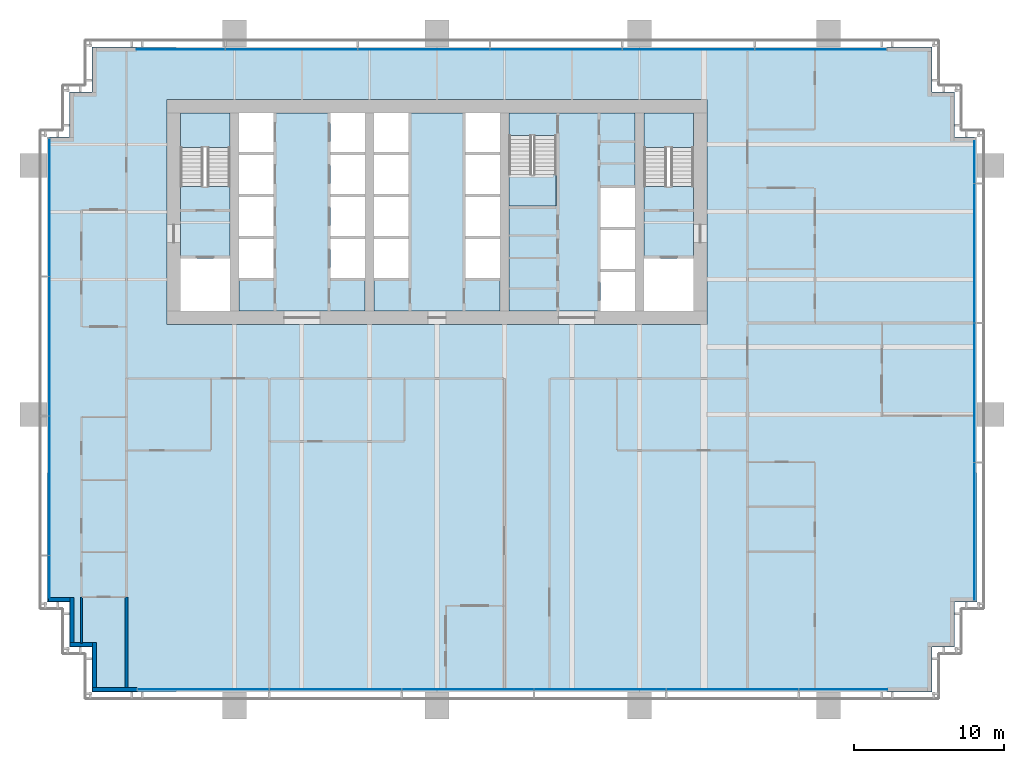
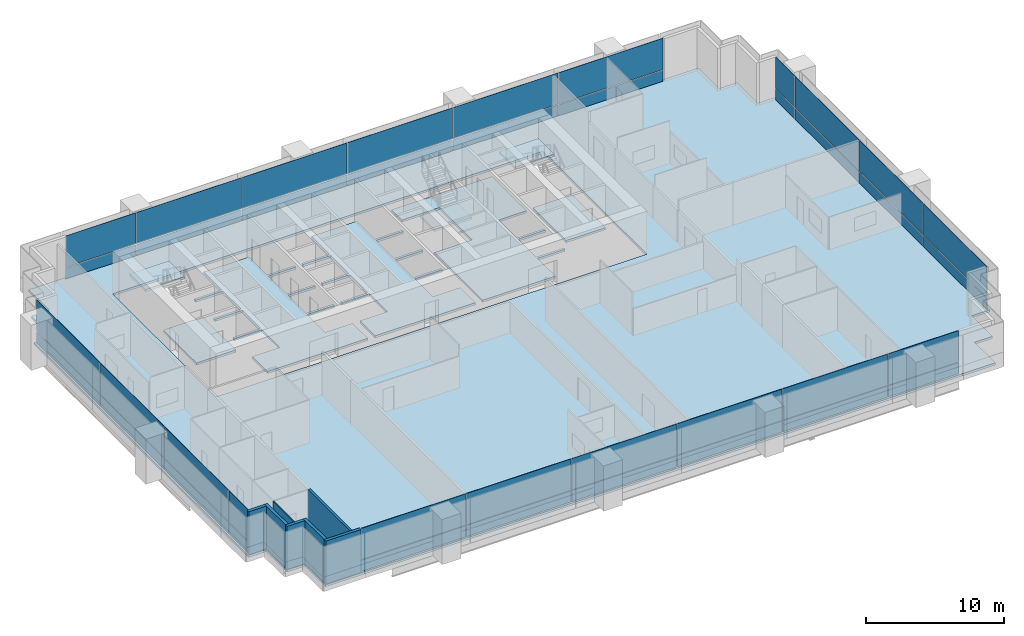
# One storey, part 11 of 19: 40 plates, 9 slabs, 7 walls, 7 elements without a shape of their own.
"""IFC4 building model written with IfcOpenShell, lengths in metres."""

from ifc_helpers import new_model, si_unit, direction, frame, frame_2d, origin, origin_2d, place, context, subcontext, project, spatial, polyline, rectangle, outline, extrude, material, layer, layer_set, type_object, element, aggregate, save


model = new_model("IFC4")

# Units and contexts
model_context = context("Model", 3, precision=1e-05, world=origin(), true_north=direction((0.0, 1.0)))
body_context = subcontext(model_context, "Body", "Model", "MODEL_VIEW")
ifc_project = project(units=[si_unit("LENGTHUNIT", "METRE"), si_unit("AREAUNIT", "SQUARE_METRE"), si_unit("VOLUMEUNIT", "CUBIC_METRE"), si_unit("PLANEANGLEUNIT", "RADIAN"), si_unit("MASSUNIT", "GRAM", prefix="KILO")], contexts=[model_context])

# Site, building, storey
site_placement = place(None, origin())
site = spatial("IfcSite", under=ifc_project, at=site_placement, CompositionType="ELEMENT")
building_placement = place(site_placement, origin())
building = spatial("IfcBuilding", under=site, at=building_placement, Name="Rattan Terrace Tower", CompositionType="ELEMENT")
storey_placement = place(building_placement, frame((0.0, 0.0, 99.699951171875)))
storey = spatial("IfcBuildingStorey", under=building, at=storey_placement, Name="L22", CompositionType="ELEMENT", Elevation=99.699951171875)

# Stair, slab
ifc_material_1 = material(Name="Concrete C40/50", Category="concrete")
stair_type = type_object("IfcStairType", Name="Core exit stair 1500", PredefinedType="HALF_TURN_STAIR", material=ifc_material_1)
stair_1_placement = place(storey_placement, origin())
stair_1 = element("IfcStair", 1, at=stair_1_placement, inside=storey, type_object=stair_type, Name="L22 exit stair 1", PredefinedType="HALF_TURN_STAIR")
ifc_material_2 = material(Name="Concrete C40/50", Category="concrete")
ifc_layer_1 = layer(ifc_material_2, 0.199951171875)
ifc_layer_set_1 = layer_set([ifc_layer_1], Name="Core exit stair landing")
slab_type_1 = type_object("IfcSlabType", Name="Core exit stair landing", PredefinedType="LANDING", material=ifc_layer_set_1)
slab_1_placement = place(storey_placement, frame((0.0, 0.0, 1.800048828125)))
slab_1 = element("IfcSlab", 2, at=slab_1_placement, type_object=slab_type_1, Name="S1 landing 1", PredefinedType="LANDING", context=body_context, shape_type="SweptSolid", body=[
    extrude(outline(polyline([(-13.800048828125, 4.300048828125), (-13.800048828125, 6.60009765625), (-17.10009765625, 6.60009765625), (-17.10009765625, 4.300048828125), (-13.800048828125, 4.300048828125)])), origin(), (0.0, 0.0, 1.0), 0.199951171875),
])
aggregate(stair_1, [slab_1])

stair_2_placement = place(storey_placement, origin())
stair_2 = element("IfcStair", 3, at=stair_2_placement, inside=storey, type_object=stair_type, Name="L22 exit stair 2", PredefinedType="HALF_TURN_STAIR")
slab_2_placement = place(storey_placement, frame((0.0, 0.0, 1.800048828125)))
slab_2 = element("IfcSlab", 4, at=slab_2_placement, type_object=slab_type_1, Name="S2 landing 1", PredefinedType="LANDING", context=body_context, shape_type="SweptSolid", body=[
    extrude(outline(polyline([(17.10009765625, 4.300048828125), (17.10009765625, 6.60009765625), (13.800048828125, 6.60009765625), (13.800048828125, 4.300048828125), (17.10009765625, 4.300048828125)])), origin(), (0.0, 0.0, 1.0), 0.199951171875),
])
aggregate(stair_2, [slab_2])

stair_3_placement = place(storey_placement, origin())
stair_3 = element("IfcStair", 5, at=stair_3_placement, inside=storey, type_object=stair_type, Name="L22 exit stair 3", PredefinedType="HALF_TURN_STAIR")
slab_3_placement = place(storey_placement, frame((0.0, 0.0, 1.800048828125)))
slab_3 = element("IfcSlab", 6, at=slab_3_placement, type_object=slab_type_1, Name="S3 landing 1", PredefinedType="LANDING", context=body_context, shape_type="SweptSolid", body=[
    extrude(outline(polyline([(4.800048828125, 2.5), (4.800048828125, 0.39990234375), (7.949951171875, 0.39990234375), (7.949951171875, 2.5), (4.800048828125, 2.5)])), origin(), (0.0, 0.0, 1.0), 0.199951171875),
])
aggregate(stair_3, [slab_3])

# Curtain wall, plates
ifc_material_3 = material(Name="Aluminium and glass", Category="aluminium")
curtain_wall_type = type_object("IfcCurtainWallType", Name="Facade Unitised Curtain Wall", PredefinedType="NOTDEFINED", material=ifc_material_3)
curtain_wall_1_placement = place(storey_placement, origin())
curtain_wall_1 = element("IfcCurtainWall", 7, at=curtain_wall_1_placement, inside=storey, type_object=curtain_wall_type, Name="Curtain wall L22-1", PredefinedType="NOTDEFINED")
ifc_material_4 = material(Name="Aluminium insulated spandrel panel", Category="aluminium")
ifc_layer_2 = layer(ifc_material_4, 0.028076171875)
ifc_layer_set_2 = layer_set([ifc_layer_2], Name="Facade CW Spandrel Panel")
plate_type_1 = type_object("IfcPlateType", Name="Facade CW Spandrel Panel", PredefinedType="CURTAIN_PANEL", material=ifc_layer_set_2)
plate_1_placement = place(storey_placement, frame((35.830078125, -21.3125, 0.0), z_axis=(0.0, 0.0, 1.0), x_axis=(0.0, 1.0, 0.0)))
plate_1 = element("IfcPlate", 8, at=plate_1_placement, type_object=plate_type_1, Name="Panel cwl-L22-001.1.1", PredefinedType="CURTAIN_PANEL", context=body_context, shape_type="SweptSolid", body=[
    extrude(rectangle(XDim=9.1650390625, YDim=0.028076171875, at=origin_2d()), origin(), (0.0, 0.0, 1.0), 0.969970703125),
])
plate_2_placement = place(storey_placement, frame((35.830078125, -12.050048828125, 0.0), z_axis=(0.0, 0.0, 1.0), x_axis=(0.0, 1.0, 0.0)))
plate_2 = element("IfcPlate", 9, at=plate_2_placement, type_object=plate_type_1, Name="Panel cwl-L22-001.2.1", PredefinedType="CURTAIN_PANEL", context=body_context, shape_type="SweptSolid", body=[
    extrude(rectangle(XDim=9.239990234375, YDim=0.028076171875, at=origin_2d()), origin(), (0.0, 0.0, 1.0), 0.969970703125),
])
plate_3_placement = place(storey_placement, frame((35.830078125, -2.75, 0.0), z_axis=(0.0, 0.0, 1.0), x_axis=(0.0, 1.0, 0.0)))
plate_3 = element("IfcPlate", 10, at=plate_3_placement, type_object=plate_type_1, Name="Panel cwl-L22-001.3.1", PredefinedType="CURTAIN_PANEL", context=body_context, shape_type="SweptSolid", body=[
    extrude(rectangle(XDim=9.239990234375, YDim=0.028076171875, at=origin_2d()), origin(), (0.0, 0.0, 1.0), 0.969970703125),
])
plate_4_placement = place(storey_placement, frame((35.830078125, 3.3173828125, 0.0), z_axis=(0.0, 0.0, 1.0), x_axis=(0.0, 1.0, 0.0)))
plate_4 = element("IfcPlate", 11, at=plate_4_placement, type_object=plate_type_1, Name="Panel cwl-L22-001.4.1", PredefinedType="CURTAIN_PANEL", context=body_context, shape_type="SweptSolid", body=[
    extrude(rectangle(XDim=2.77490234375, YDim=0.028076171875, at=origin_2d()), origin(), (0.0, 0.0, 1.0), 0.969970703125),
])

curtain_wall_2_placement = place(storey_placement, origin())
curtain_wall_2 = element("IfcCurtainWall", 12, at=curtain_wall_2_placement, inside=storey, type_object=curtain_wall_type, Name="Curtain wall L22-2", PredefinedType="NOTDEFINED")
plate_5_placement = place(storey_placement, frame((25.573486328125, 10.830078125, 0.0), z_axis=(0.0, 0.0, 1.0), x_axis=(-1.0, 0.0, 0.0)))
plate_5 = element("IfcPlate", 13, at=plate_5_placement, type_object=plate_type_1, Name="Panel cwl-L22-002.1.1", PredefinedType="CURTAIN_PANEL", context=body_context, shape_type="SweptSolid", body=[
    extrude(rectangle(XDim=8.73291015625, YDim=0.028076171875, at=origin_2d()), origin(), (0.0, 0.0, 1.0), 0.969970703125),
])
plate_6_placement = place(storey_placement, frame((16.765380859375, 10.830078125, 0.0), z_axis=(0.0, 0.0, 1.0), x_axis=(-1.0, 0.0, 0.0)))
plate_6 = element("IfcPlate", 14, at=plate_6_placement, type_object=plate_type_1, Name="Panel cwl-L22-002.2.1", PredefinedType="CURTAIN_PANEL", context=body_context, shape_type="SweptSolid", body=[
    extrude(rectangle(XDim=8.762939453125, YDim=0.028076171875, at=origin_2d()), origin(), (0.0, 0.0, 1.0), 0.969970703125),
])
plate_7_placement = place(storey_placement, frame((7.9423828125, 10.830078125, 0.0), z_axis=(0.0, 0.0, 1.0), x_axis=(-1.0, 0.0, 0.0)))
plate_7 = element("IfcPlate", 15, at=plate_7_placement, type_object=plate_type_1, Name="Panel cwl-L22-002.3.1", PredefinedType="CURTAIN_PANEL", context=body_context, shape_type="SweptSolid", body=[
    extrude(rectangle(XDim=8.762939453125, YDim=0.028076171875, at=origin_2d()), origin(), (0.0, 0.0, 1.0), 0.969970703125),
])
plate_8_placement = place(storey_placement, frame((-0.880615234375, 10.830078125, 0.0), z_axis=(0.0, 0.0, 1.0), x_axis=(-1.0, 0.0, 0.0)))
plate_8 = element("IfcPlate", 16, at=plate_8_placement, type_object=plate_type_1, Name="Panel cwl-L22-002.4.1", PredefinedType="CURTAIN_PANEL", context=body_context, shape_type="SweptSolid", body=[
    extrude(rectangle(XDim=8.762939453125, YDim=0.028076171875, at=origin_2d()), origin(), (0.0, 0.0, 1.0), 0.969970703125),
])
plate_9_placement = place(storey_placement, frame((-9.70361328125, 10.830078125, 0.0), z_axis=(0.0, 0.0, 1.0), x_axis=(-1.0, 0.0, 0.0)))
plate_9 = element("IfcPlate", 17, at=plate_9_placement, type_object=plate_type_1, Name="Panel cwl-L22-002.5.1", PredefinedType="CURTAIN_PANEL", context=body_context, shape_type="SweptSolid", body=[
    extrude(rectangle(XDim=8.762939453125, YDim=0.028076171875, at=origin_2d()), origin(), (0.0, 0.0, 1.0), 0.969970703125),
])
plate_10_placement = place(storey_placement, frame((-17.072509765625, 10.830078125, 0.0), z_axis=(0.0, 0.0, 1.0), x_axis=(-1.0, 0.0, 0.0)))
plate_10 = element("IfcPlate", 18, at=plate_10_placement, type_object=plate_type_1, Name="Panel cwl-L22-002.6.1", PredefinedType="CURTAIN_PANEL", context=body_context, shape_type="SweptSolid", body=[
    extrude(rectangle(XDim=5.85498046875, YDim=0.028076171875, at=origin_2d()), origin(), (0.0, 0.0, 1.0), 0.969970703125),
])

curtain_wall_3_placement = place(storey_placement, origin())
curtain_wall_3 = element("IfcCurtainWall", 19, at=curtain_wall_3_placement, inside=storey, type_object=curtain_wall_type, Name="Curtain wall L22-3", PredefinedType="NOTDEFINED")
plate_11_placement = place(storey_placement, frame((-25.830078125, 0.3125, 0.0), z_axis=(0.0, 0.0, 1.0), x_axis=(0.0, -1.0, 0.0)))
plate_11 = element("IfcPlate", 20, at=plate_11_placement, type_object=plate_type_1, Name="Panel cwl-L22-003.1.1", PredefinedType="CURTAIN_PANEL", context=body_context, shape_type="SweptSolid", body=[
    extrude(rectangle(XDim=9.1650390625, YDim=0.028076171875, at=origin_2d()), origin(), (0.0, 0.0, 1.0), 0.969970703125),
])
plate_12_placement = place(storey_placement, frame((-25.830078125, -8.949951171875, 0.0), z_axis=(0.0, 0.0, 1.0), x_axis=(0.0, -1.0, 0.0)))
plate_12 = element("IfcPlate", 21, at=plate_12_placement, type_object=plate_type_1, Name="Panel cwl-L22-003.2.1", PredefinedType="CURTAIN_PANEL", context=body_context, shape_type="SweptSolid", body=[
    extrude(rectangle(XDim=9.239990234375, YDim=0.028076171875, at=origin_2d()), origin(), (0.0, 0.0, 1.0), 0.969970703125),
])
plate_13_placement = place(storey_placement, frame((-25.830078125, -18.25, 0.0), z_axis=(0.0, 0.0, 1.0), x_axis=(0.0, -1.0, 0.0)))
plate_13 = element("IfcPlate", 22, at=plate_13_placement, type_object=plate_type_1, Name="Panel cwl-L22-003.3.1", PredefinedType="CURTAIN_PANEL", context=body_context, shape_type="SweptSolid", body=[
    extrude(rectangle(XDim=9.239990234375, YDim=0.028076171875, at=origin_2d()), origin(), (0.0, 0.0, 1.0), 0.969970703125),
])
plate_14_placement = place(storey_placement, frame((-25.830078125, -24.3173828125, 0.0), z_axis=(0.0, 0.0, 1.0), x_axis=(0.0, -1.0, 0.0)))
plate_14 = element("IfcPlate", 23, at=plate_14_placement, type_object=plate_type_1, Name="Panel cwl-L22-003.4.1", PredefinedType="CURTAIN_PANEL", context=body_context, shape_type="SweptSolid", body=[
    extrude(rectangle(XDim=2.77490234375, YDim=0.028076171875, at=origin_2d()), origin(), (0.0, 0.0, 1.0), 0.969970703125),
])

curtain_wall_4_placement = place(storey_placement, origin())
curtain_wall_4 = element("IfcCurtainWall", 24, at=curtain_wall_4_placement, inside=storey, type_object=curtain_wall_type, Name="Curtain wall L22-4", PredefinedType="NOTDEFINED")
plate_15_placement = place(storey_placement, frame((-15.573486328125, -31.830078125, 0.0), z_axis=(0.0, 0.0, 1.0), x_axis=(1.0, 0.0, 0.0)))
plate_15 = element("IfcPlate", 25, at=plate_15_placement, type_object=plate_type_1, Name="Panel cwl-L22-004.1.1", PredefinedType="CURTAIN_PANEL", context=body_context, shape_type="SweptSolid", body=[
    extrude(rectangle(XDim=8.73291015625, YDim=0.028076171875, at=origin_2d()), origin(), (0.0, 0.0, 1.0), 0.969970703125),
])
plate_16_placement = place(storey_placement, frame((-6.765380859375, -31.830078125, 0.0), z_axis=(0.0, 0.0, 1.0), x_axis=(1.0, 0.0, 0.0)))
plate_16 = element("IfcPlate", 26, at=plate_16_placement, type_object=plate_type_1, Name="Panel cwl-L22-004.2.1", PredefinedType="CURTAIN_PANEL", context=body_context, shape_type="SweptSolid", body=[
    extrude(rectangle(XDim=8.762939453125, YDim=0.028076171875, at=origin_2d()), origin(), (0.0, 0.0, 1.0), 0.969970703125),
])
plate_17_placement = place(storey_placement, frame((2.0576171875, -31.830078125, 0.0), z_axis=(0.0, 0.0, 1.0), x_axis=(1.0, 0.0, 0.0)))
plate_17 = element("IfcPlate", 27, at=plate_17_placement, type_object=plate_type_1, Name="Panel cwl-L22-004.3.1", PredefinedType="CURTAIN_PANEL", context=body_context, shape_type="SweptSolid", body=[
    extrude(rectangle(XDim=8.762939453125, YDim=0.028076171875, at=origin_2d()), origin(), (0.0, 0.0, 1.0), 0.969970703125),
])
plate_18_placement = place(storey_placement, frame((10.880615234375, -31.830078125, 0.0), z_axis=(0.0, 0.0, 1.0), x_axis=(1.0, 0.0, 0.0)))
plate_18 = element("IfcPlate", 28, at=plate_18_placement, type_object=plate_type_1, Name="Panel cwl-L22-004.4.1", PredefinedType="CURTAIN_PANEL", context=body_context, shape_type="SweptSolid", body=[
    extrude(rectangle(XDim=8.762939453125, YDim=0.028076171875, at=origin_2d()), origin(), (0.0, 0.0, 1.0), 0.969970703125),
])
plate_19_placement = place(storey_placement, frame((19.70361328125, -31.830078125, 0.0), z_axis=(0.0, 0.0, 1.0), x_axis=(1.0, 0.0, 0.0)))
plate_19 = element("IfcPlate", 29, at=plate_19_placement, type_object=plate_type_1, Name="Panel cwl-L22-004.5.1", PredefinedType="CURTAIN_PANEL", context=body_context, shape_type="SweptSolid", body=[
    extrude(rectangle(XDim=8.762939453125, YDim=0.028076171875, at=origin_2d()), origin(), (0.0, 0.0, 1.0), 0.969970703125),
])
plate_20_placement = place(storey_placement, frame((27.072509765625, -31.830078125, 0.0), z_axis=(0.0, 0.0, 1.0), x_axis=(1.0, 0.0, 0.0)))
plate_20 = element("IfcPlate", 30, at=plate_20_placement, type_object=plate_type_1, Name="Panel cwl-L22-004.6.1", PredefinedType="CURTAIN_PANEL", context=body_context, shape_type="SweptSolid", body=[
    extrude(rectangle(XDim=5.85498046875, YDim=0.028076171875, at=origin_2d()), origin(), (0.0, 0.0, 1.0), 0.969970703125),
])

# Plate
ifc_material_5 = material(Name="Clear low-iron glass", Category="glass")
ifc_layer_3 = layer(ifc_material_5, 0.028076171875)
ifc_layer_set_3 = layer_set([ifc_layer_3], Name="Facade CW Vision Panel")
plate_type_2 = type_object("IfcPlateType", Name="Facade CW Vision Panel", PredefinedType="CURTAIN_PANEL", material=ifc_layer_set_3)
plate_21_placement = place(storey_placement, frame((35.830078125, -21.3125, 1.030029296875), z_axis=(0.0, 0.0, 1.0), x_axis=(0.0, 1.0, 0.0)))
plate_21 = element("IfcPlate", 31, at=plate_21_placement, type_object=plate_type_2, Name="Panel cwl-L22-001.1.2", PredefinedType="CURTAIN_PANEL", context=body_context, shape_type="SweptSolid", body=[
    extrude(rectangle(XDim=9.1650390625, YDim=0.028076171875, at=origin_2d()), origin(), (0.0, 0.0, 1.0), 2.77001953125),
])

plate_22_placement = place(storey_placement, frame((35.830078125, -12.050048828125, 1.030029296875), z_axis=(0.0, 0.0, 1.0), x_axis=(0.0, 1.0, 0.0)))
plate_22 = element("IfcPlate", 32, at=plate_22_placement, type_object=plate_type_2, Name="Panel cwl-L22-001.2.2", PredefinedType="CURTAIN_PANEL", context=body_context, shape_type="SweptSolid", body=[
    extrude(rectangle(XDim=9.239990234375, YDim=0.028076171875, at=origin_2d()), origin(), (0.0, 0.0, 1.0), 2.77001953125),
])

plate_23_placement = place(storey_placement, frame((35.830078125, -2.75, 1.030029296875), z_axis=(0.0, 0.0, 1.0), x_axis=(0.0, 1.0, 0.0)))
plate_23 = element("IfcPlate", 33, at=plate_23_placement, type_object=plate_type_2, Name="Panel cwl-L22-001.3.2", PredefinedType="CURTAIN_PANEL", context=body_context, shape_type="SweptSolid", body=[
    extrude(rectangle(XDim=9.239990234375, YDim=0.028076171875, at=origin_2d()), origin(), (0.0, 0.0, 1.0), 2.77001953125),
])

plate_24_placement = place(storey_placement, frame((35.830078125, 3.3173828125, 1.030029296875), z_axis=(0.0, 0.0, 1.0), x_axis=(0.0, 1.0, 0.0)))
plate_24 = element("IfcPlate", 34, at=plate_24_placement, type_object=plate_type_2, Name="Panel cwl-L22-001.4.2", PredefinedType="CURTAIN_PANEL", context=body_context, shape_type="SweptSolid", body=[
    extrude(rectangle(XDim=2.77490234375, YDim=0.028076171875, at=origin_2d()), origin(), (0.0, 0.0, 1.0), 2.77001953125),
])

aggregate(curtain_wall_1, [plate_1, plate_21, plate_2, plate_22, plate_3, plate_23, plate_4, plate_24])

plate_25_placement = place(storey_placement, frame((25.573486328125, 10.830078125, 1.030029296875), z_axis=(0.0, 0.0, 1.0), x_axis=(-1.0, 0.0, 0.0)))
plate_25 = element("IfcPlate", 35, at=plate_25_placement, type_object=plate_type_2, Name="Panel cwl-L22-002.1.2", PredefinedType="CURTAIN_PANEL", context=body_context, shape_type="SweptSolid", body=[
    extrude(rectangle(XDim=8.73291015625, YDim=0.028076171875, at=origin_2d()), origin(), (0.0, 0.0, 1.0), 2.77001953125),
])

plate_26_placement = place(storey_placement, frame((16.765380859375, 10.830078125, 1.030029296875), z_axis=(0.0, 0.0, 1.0), x_axis=(-1.0, 0.0, 0.0)))
plate_26 = element("IfcPlate", 36, at=plate_26_placement, type_object=plate_type_2, Name="Panel cwl-L22-002.2.2", PredefinedType="CURTAIN_PANEL", context=body_context, shape_type="SweptSolid", body=[
    extrude(rectangle(XDim=8.762939453125, YDim=0.028076171875, at=origin_2d()), origin(), (0.0, 0.0, 1.0), 2.77001953125),
])

plate_27_placement = place(storey_placement, frame((7.9423828125, 10.830078125, 1.030029296875), z_axis=(0.0, 0.0, 1.0), x_axis=(-1.0, 0.0, 0.0)))
plate_27 = element("IfcPlate", 37, at=plate_27_placement, type_object=plate_type_2, Name="Panel cwl-L22-002.3.2", PredefinedType="CURTAIN_PANEL", context=body_context, shape_type="SweptSolid", body=[
    extrude(rectangle(XDim=8.762939453125, YDim=0.028076171875, at=origin_2d()), origin(), (0.0, 0.0, 1.0), 2.77001953125),
])

plate_28_placement = place(storey_placement, frame((-0.880615234375, 10.830078125, 1.030029296875), z_axis=(0.0, 0.0, 1.0), x_axis=(-1.0, 0.0, 0.0)))
plate_28 = element("IfcPlate", 38, at=plate_28_placement, type_object=plate_type_2, Name="Panel cwl-L22-002.4.2", PredefinedType="CURTAIN_PANEL", context=body_context, shape_type="SweptSolid", body=[
    extrude(rectangle(XDim=8.762939453125, YDim=0.028076171875, at=origin_2d()), origin(), (0.0, 0.0, 1.0), 2.77001953125),
])

plate_29_placement = place(storey_placement, frame((-9.70361328125, 10.830078125, 1.030029296875), z_axis=(0.0, 0.0, 1.0), x_axis=(-1.0, 0.0, 0.0)))
plate_29 = element("IfcPlate", 39, at=plate_29_placement, type_object=plate_type_2, Name="Panel cwl-L22-002.5.2", PredefinedType="CURTAIN_PANEL", context=body_context, shape_type="SweptSolid", body=[
    extrude(rectangle(XDim=8.762939453125, YDim=0.028076171875, at=origin_2d()), origin(), (0.0, 0.0, 1.0), 2.77001953125),
])

plate_30_placement = place(storey_placement, frame((-17.072509765625, 10.830078125, 1.030029296875), z_axis=(0.0, 0.0, 1.0), x_axis=(-1.0, 0.0, 0.0)))
plate_30 = element("IfcPlate", 40, at=plate_30_placement, type_object=plate_type_2, Name="Panel cwl-L22-002.6.2", PredefinedType="CURTAIN_PANEL", context=body_context, shape_type="SweptSolid", body=[
    extrude(rectangle(XDim=5.85498046875, YDim=0.028076171875, at=origin_2d()), origin(), (0.0, 0.0, 1.0), 2.77001953125),
])

aggregate(curtain_wall_2, [plate_5, plate_25, plate_6, plate_26, plate_7, plate_27, plate_8, plate_28, plate_9, plate_29, plate_10, plate_30])

plate_31_placement = place(storey_placement, frame((-25.830078125, 0.3125, 1.030029296875), z_axis=(0.0, 0.0, 1.0), x_axis=(0.0, -1.0, 0.0)))
plate_31 = element("IfcPlate", 41, at=plate_31_placement, type_object=plate_type_2, Name="Panel cwl-L22-003.1.2", PredefinedType="CURTAIN_PANEL", context=body_context, shape_type="SweptSolid", body=[
    extrude(rectangle(XDim=9.1650390625, YDim=0.028076171875, at=origin_2d()), origin(), (0.0, 0.0, 1.0), 2.77001953125),
])

plate_32_placement = place(storey_placement, frame((-25.830078125, -8.949951171875, 1.030029296875), z_axis=(0.0, 0.0, 1.0), x_axis=(0.0, -1.0, 0.0)))
plate_32 = element("IfcPlate", 42, at=plate_32_placement, type_object=plate_type_2, Name="Panel cwl-L22-003.2.2", PredefinedType="CURTAIN_PANEL", context=body_context, shape_type="SweptSolid", body=[
    extrude(rectangle(XDim=9.239990234375, YDim=0.028076171875, at=origin_2d()), origin(), (0.0, 0.0, 1.0), 2.77001953125),
])

plate_33_placement = place(storey_placement, frame((-25.830078125, -18.25, 1.030029296875), z_axis=(0.0, 0.0, 1.0), x_axis=(0.0, -1.0, 0.0)))
plate_33 = element("IfcPlate", 43, at=plate_33_placement, type_object=plate_type_2, Name="Panel cwl-L22-003.3.2", PredefinedType="CURTAIN_PANEL", context=body_context, shape_type="SweptSolid", body=[
    extrude(rectangle(XDim=9.239990234375, YDim=0.028076171875, at=origin_2d()), origin(), (0.0, 0.0, 1.0), 2.77001953125),
])

plate_34_placement = place(storey_placement, frame((-25.830078125, -24.3173828125, 1.030029296875), z_axis=(0.0, 0.0, 1.0), x_axis=(0.0, -1.0, 0.0)))
plate_34 = element("IfcPlate", 44, at=plate_34_placement, type_object=plate_type_2, Name="Panel cwl-L22-003.4.2", PredefinedType="CURTAIN_PANEL", context=body_context, shape_type="SweptSolid", body=[
    extrude(rectangle(XDim=2.77490234375, YDim=0.028076171875, at=origin_2d()), origin(), (0.0, 0.0, 1.0), 2.77001953125),
])

aggregate(curtain_wall_3, [plate_11, plate_31, plate_12, plate_32, plate_13, plate_33, plate_14, plate_34])

plate_35_placement = place(storey_placement, frame((-15.573486328125, -31.830078125, 1.030029296875), z_axis=(0.0, 0.0, 1.0), x_axis=(1.0, 0.0, 0.0)))
plate_35 = element("IfcPlate", 45, at=plate_35_placement, type_object=plate_type_2, Name="Panel cwl-L22-004.1.2", PredefinedType="CURTAIN_PANEL", context=body_context, shape_type="SweptSolid", body=[
    extrude(rectangle(XDim=8.73291015625, YDim=0.028076171875, at=origin_2d()), origin(), (0.0, 0.0, 1.0), 2.77001953125),
])

plate_36_placement = place(storey_placement, frame((-6.765380859375, -31.830078125, 1.030029296875), z_axis=(0.0, 0.0, 1.0), x_axis=(1.0, 0.0, 0.0)))
plate_36 = element("IfcPlate", 46, at=plate_36_placement, type_object=plate_type_2, Name="Panel cwl-L22-004.2.2", PredefinedType="CURTAIN_PANEL", context=body_context, shape_type="SweptSolid", body=[
    extrude(rectangle(XDim=8.762939453125, YDim=0.028076171875, at=origin_2d()), origin(), (0.0, 0.0, 1.0), 2.77001953125),
])

plate_37_placement = place(storey_placement, frame((2.0576171875, -31.830078125, 1.030029296875), z_axis=(0.0, 0.0, 1.0), x_axis=(1.0, 0.0, 0.0)))
plate_37 = element("IfcPlate", 47, at=plate_37_placement, type_object=plate_type_2, Name="Panel cwl-L22-004.3.2", PredefinedType="CURTAIN_PANEL", context=body_context, shape_type="SweptSolid", body=[
    extrude(rectangle(XDim=8.762939453125, YDim=0.028076171875, at=origin_2d()), origin(), (0.0, 0.0, 1.0), 2.77001953125),
])

plate_38_placement = place(storey_placement, frame((10.880615234375, -31.830078125, 1.030029296875), z_axis=(0.0, 0.0, 1.0), x_axis=(1.0, 0.0, 0.0)))
plate_38 = element("IfcPlate", 48, at=plate_38_placement, type_object=plate_type_2, Name="Panel cwl-L22-004.4.2", PredefinedType="CURTAIN_PANEL", context=body_context, shape_type="SweptSolid", body=[
    extrude(rectangle(XDim=8.762939453125, YDim=0.028076171875, at=origin_2d()), origin(), (0.0, 0.0, 1.0), 2.77001953125),
])

plate_39_placement = place(storey_placement, frame((19.70361328125, -31.830078125, 1.030029296875), z_axis=(0.0, 0.0, 1.0), x_axis=(1.0, 0.0, 0.0)))
plate_39 = element("IfcPlate", 49, at=plate_39_placement, type_object=plate_type_2, Name="Panel cwl-L22-004.5.2", PredefinedType="CURTAIN_PANEL", context=body_context, shape_type="SweptSolid", body=[
    extrude(rectangle(XDim=8.762939453125, YDim=0.028076171875, at=origin_2d()), origin(), (0.0, 0.0, 1.0), 2.77001953125),
])

plate_40_placement = place(storey_placement, frame((27.072509765625, -31.830078125, 1.030029296875), z_axis=(0.0, 0.0, 1.0), x_axis=(1.0, 0.0, 0.0)))
plate_40 = element("IfcPlate", 50, at=plate_40_placement, type_object=plate_type_2, Name="Panel cwl-L22-004.6.2", PredefinedType="CURTAIN_PANEL", context=body_context, shape_type="SweptSolid", body=[
    extrude(rectangle(XDim=5.85498046875, YDim=0.028076171875, at=origin_2d()), origin(), (0.0, 0.0, 1.0), 2.77001953125),
])

aggregate(curtain_wall_4, [plate_15, plate_35, plate_16, plate_36, plate_17, plate_37, plate_18, plate_38, plate_19, plate_39, plate_20, plate_40])

# Slabs
ifc_material_6 = material(Name="Concrete C35/45", Category="concrete")
ifc_layer_4 = layer(ifc_material_6, 0.199951171875)
ifc_layer_set_4 = layer_set([ifc_layer_4], Name="Frame composite floor slab 200")
slab_type_2 = type_object("IfcSlabType", Name="Frame composite floor slab 200", PredefinedType="FLOOR", material=ifc_layer_set_4)
slab_4_placement = place(storey_placement, frame((0.0, 0.0, -0.199951171875)))
element("IfcSlab", 51, at=slab_4_placement, inside=storey, type_object=slab_type_2, Name="Floor slab", PredefinedType="FLOOR", context=body_context, shape_type="SweptSolid", body=[
    extrude(outline(polyline([(-20.0, -32.0), (30.0, -32.0), (33.0, -32.0), (33.0, -29.0), (34.5, -29.0), (34.5, -26.0), (36.0, -26.0), (36.0, 5.0), (34.5, 5.0), (34.5, 8.0), (33.0, 8.0), (33.0, 11.0), (30.0, 11.0), (-20.0, 11.0), (-23.0, 11.0), (-23.0, 8.0), (-24.5, 8.0), (-24.5, 5.0), (-26.0, 5.0), (-26.0, -26.0), (-24.5, -26.0), (-24.5, -29.0), (-23.0, -29.0), (-23.0, -32.0), (-20.0, -32.0)]), holes=[polyline([(-18.0, -6.60009765625), (-18.0, -7.5), (18.0, -7.5), (18.0, -6.60009765625), (18.0, 6.60009765625), (18.0, 7.5), (-18.0, 7.5), (-18.0, 6.60009765625), (-18.0, -6.60009765625)])]), origin(), (0.0, 0.0, 1.0), 0.199951171875),
])
slab_5_placement = place(storey_placement, frame((0.0, 0.0, -0.199951171875)))
element("IfcSlab", 52, at=slab_5_placement, inside=storey, type_object=slab_type_2, Name="Floor slab", PredefinedType="FLOOR", context=body_context, shape_type="SweptSolid", body=[
    extrude(outline(polyline([(-10.89990234375, 6.60009765625), (-10.89990234375, 4.0), (-13.199951171875, 4.0), (-13.199951171875, 3.800048828125), (-10.89990234375, 3.800048828125), (-10.89990234375, 1.199951171875), (-13.199951171875, 1.199951171875), (-13.199951171875, 1.0), (-10.89990234375, 1.0), (-10.89990234375, -1.60009765625), (-13.199951171875, -1.60009765625), (-13.199951171875, -1.800048828125), (-10.89990234375, -1.800048828125), (-10.89990234375, -4.39990234375), (-13.199951171875, -4.39990234375), (-13.199951171875, -6.60009765625), (-4.800048828125, -6.60009765625), (-4.800048828125, -4.39990234375), (-7.10009765625, -4.39990234375), (-7.10009765625, -1.800048828125), (-4.800048828125, -1.800048828125), (-4.800048828125, -1.60009765625), (-7.10009765625, -1.60009765625), (-7.10009765625, 1.0), (-4.800048828125, 1.0), (-4.800048828125, 1.199951171875), (-7.10009765625, 1.199951171875), (-7.10009765625, 3.800048828125), (-4.800048828125, 3.800048828125), (-4.800048828125, 4.0), (-7.10009765625, 4.0), (-7.10009765625, 6.60009765625), (-10.89990234375, 6.60009765625)])), origin(), (0.0, 0.0, 1.0), 0.199951171875),
])
slab_6_placement = place(storey_placement, frame((0.0, 0.0, -0.199951171875)))
element("IfcSlab", 53, at=slab_6_placement, inside=storey, type_object=slab_type_2, Name="Floor slab", PredefinedType="FLOOR", context=body_context, shape_type="SweptSolid", body=[
    extrude(outline(polyline([(-17.10009765625, -3.10009765625), (-13.800048828125, -3.10009765625), (-13.800048828125, 1.7099609375), (-17.10009765625, 1.7099609375), (-17.10009765625, -3.10009765625)])), origin(), (0.0, 0.0, 1.0), 0.199951171875),
])
slab_7_placement = place(storey_placement, frame((0.0, 0.0, -0.199951171875)))
element("IfcSlab", 54, at=slab_7_placement, inside=storey, type_object=slab_type_2, Name="Floor slab", PredefinedType="FLOOR", context=body_context, shape_type="SweptSolid", body=[
    extrude(outline(polyline([(-4.199951171875, 4.0), (-4.199951171875, 3.800048828125), (-1.89990234375, 3.800048828125), (-1.89990234375, 1.199951171875), (-4.199951171875, 1.199951171875), (-4.199951171875, 1.0), (-1.89990234375, 1.0), (-1.89990234375, -1.60009765625), (-4.199951171875, -1.60009765625), (-4.199951171875, -1.800048828125), (-1.89990234375, -1.800048828125), (-1.89990234375, -4.39990234375), (-4.199951171875, -4.39990234375), (-4.199951171875, -6.60009765625), (4.199951171875, -6.60009765625), (4.199951171875, -4.39990234375), (1.89990234375, -4.39990234375), (1.89990234375, -1.800048828125), (4.199951171875, -1.800048828125), (4.199951171875, -1.60009765625), (1.89990234375, -1.60009765625), (1.89990234375, 1.0), (4.199951171875, 1.0), (4.199951171875, 1.199951171875), (1.89990234375, 1.199951171875), (1.89990234375, 3.800048828125), (4.199951171875, 3.800048828125), (4.199951171875, 4.0), (1.89990234375, 4.0), (1.89990234375, 6.60009765625), (-1.89990234375, 6.60009765625), (-1.89990234375, 4.0), (-4.199951171875, 4.0)])), origin(), (0.0, 0.0, 1.0), 0.199951171875),
])
slab_8_placement = place(storey_placement, frame((0.0, 0.0, -0.199951171875)))
element("IfcSlab", 55, at=slab_8_placement, inside=storey, type_object=slab_type_2, Name="Floor slab", PredefinedType="FLOOR", context=body_context, shape_type="SweptSolid", body=[
    extrude(outline(polyline([(4.800048828125, 5.090087890625), (7.949951171875, 5.090087890625), (7.949951171875, 0.39990234375), (4.800048828125, 0.39990234375), (4.800048828125, -6.60009765625), (10.89990234375, -6.60009765625), (10.89990234375, -4.0), (13.199951171875, -4.0), (13.199951171875, -3.800048828125), (10.89990234375, -3.800048828125), (10.89990234375, -1.199951171875), (13.199951171875, -1.199951171875), (13.199951171875, -1.0), (10.89990234375, -1.0), (10.89990234375, 1.60009765625), (13.199951171875, 1.60009765625), (13.199951171875, 6.60009765625), (4.800048828125, 6.60009765625), (4.800048828125, 5.090087890625)])), origin(), (0.0, 0.0, 1.0), 0.199951171875),
])
slab_9_placement = place(storey_placement, frame((0.0, 0.0, -0.199951171875)))
element("IfcSlab", 56, at=slab_9_placement, inside=storey, type_object=slab_type_2, Name="Floor slab", PredefinedType="FLOOR", context=body_context, shape_type="SweptSolid", body=[
    extrude(outline(polyline([(13.800048828125, -3.10009765625), (17.10009765625, -3.10009765625), (17.10009765625, 1.7099609375), (13.800048828125, 1.7099609375), (13.800048828125, -3.10009765625)])), origin(), (0.0, 0.0, 1.0), 0.199951171875),
])

# Walls
ifc_material_7 = material(Name="Insulated aluminium-clad stud wall", Category="aluminium")
ifc_layer_5 = layer(ifc_material_7, 0.25)
ifc_layer_set_5 = layer_set([ifc_layer_5], Name="Facade Riser Wall 250")
wall_type_1 = type_object("IfcWallType", Name="Facade Riser Wall 250", PredefinedType="SOLIDWALL", material=ifc_layer_set_5)
wall_1_placement = place(storey_placement, frame((-25.909912109375, -25.830078125, 0.0), z_axis=(0.0, 0.0, 1.0), x_axis=(1.0, 0.0, 0.0)))
element("IfcWall", 57, at=wall_1_placement, inside=storey, type_object=wall_type_1, Name="Riser wall L22-16", PredefinedType="SOLIDWALL", context=body_context, shape_type="SweptSolid", body=[
    extrude(rectangle(XDim=1.454833984375, YDim=0.25, at=frame_2d((0.7275390625, 0.0))), origin(), (0.0, 0.0, 1.0), 3.800048828125),
])
wall_2_placement = place(storey_placement, frame((-24.330078125, -25.705078125, 0.0), z_axis=(0.0, 0.0, 1.0), x_axis=(0.0, -1.0, 0.0)))
element("IfcWall", 58, at=wall_2_placement, inside=storey, type_object=wall_type_1, Name="Riser wall L22-17", PredefinedType="SOLIDWALL", context=body_context, shape_type="SweptSolid", body=[
    extrude(rectangle(XDim=3.0, YDim=0.25, at=frame_2d((1.5, 0.0))), origin(), (0.0, 0.0, 1.0), 3.800048828125),
])
wall_3_placement = place(storey_placement, frame((-24.455078125, -28.830078125, 0.0), z_axis=(0.0, 0.0, 1.0), x_axis=(1.0, 0.0, 0.0)))
element("IfcWall", 59, at=wall_3_placement, inside=storey, type_object=wall_type_1, Name="Riser wall L22-18", PredefinedType="SOLIDWALL", context=body_context, shape_type="SweptSolid", body=[
    extrude(rectangle(XDim=1.5, YDim=0.25, at=frame_2d((0.75, 0.0))), origin(), (0.0, 0.0, 1.0), 3.800048828125),
])
wall_4_placement = place(storey_placement, frame((-22.830078125, -28.705078125, 0.0), z_axis=(0.0, 0.0, 1.0), x_axis=(0.0, -1.0, 0.0)))
element("IfcWall", 60, at=wall_4_placement, inside=storey, type_object=wall_type_1, Name="Riser wall L22-19", PredefinedType="SOLIDWALL", context=body_context, shape_type="SweptSolid", body=[
    extrude(rectangle(XDim=3.0, YDim=0.25, at=frame_2d((1.5, 0.0))), origin(), (0.0, 0.0, 1.0), 3.800048828125),
])
wall_5_placement = place(storey_placement, frame((-22.955078125, -31.830078125, 0.0), z_axis=(0.0, 0.0, 1.0), x_axis=(1.0, 0.0, 0.0)))
element("IfcWall", 61, at=wall_5_placement, inside=storey, type_object=wall_type_1, Name="Riser wall L22-20", PredefinedType="SOLIDWALL", context=body_context, shape_type="SweptSolid", body=[
    extrude(rectangle(XDim=2.955078125, YDim=0.25, at=frame_2d((1.4775390625, 0.0))), origin(), (0.0, 0.0, 1.0), 3.800048828125),
])
ifc_material_8 = material(Name="Double steel stud acoustic partition, gypsum board, mineral wool, fire rated", Category="steel")
ifc_layer_6 = layer(ifc_material_8, 0.179931640625)
ifc_layer_set_6 = layer_set([ifc_layer_6], Name="Floors Acoustic Party Wall 180")
wall_type_2 = type_object("IfcWallType", Name="Floors Acoustic Party Wall 180", PredefinedType="PARTITIONING", material=ifc_layer_set_6)
wall_6_placement = place(storey_placement, frame((-20.699951171875, -25.659912109375, 0.0), z_axis=(0.0, 0.0, 1.0), x_axis=(0.0, -1.0, 0.0)))
element("IfcWall", 62, at=wall_6_placement, inside=storey, type_object=wall_type_2, Name="pt-L22-028", PredefinedType="PARTITIONING", context=body_context, shape_type="SweptSolid", body=[
    extrude(rectangle(XDim=6.080078125, YDim=0.179931640625, at=frame_2d((3.0400390625, 0.0))), origin(), (0.0, 0.0, 1.0), 3.800048828125),
])
ifc_material_9 = material(Name="Gypsum board partition on steel studs", Category="steel")
ifc_layer_7 = layer(ifc_material_9, 0.10009765625)
ifc_layer_set_7 = layer_set([ifc_layer_7], Name="Floors Partition 100")
wall_type_3 = type_object("IfcWallType", Name="Floors Partition 100", PredefinedType="PARTITIONING", material=ifc_layer_set_7)
wall_7_placement = place(storey_placement, frame((-23.699951171875, -25.679931640625, 0.0), z_axis=(0.0, 0.0, 1.0), x_axis=(0.0, -1.0, 0.0)))
element("IfcWall", 63, at=wall_7_placement, inside=storey, type_object=wall_type_3, Name="pt-L22-018", PredefinedType="PARTITIONING", context=body_context, shape_type="SweptSolid", body=[
    extrude(rectangle(XDim=3.06005859375, YDim=0.10009765625, at=frame_2d((1.530029296875, 0.0))), origin(), (0.0, 0.0, 1.0), 3.800048828125),
])

save(model, "model.ifc")
